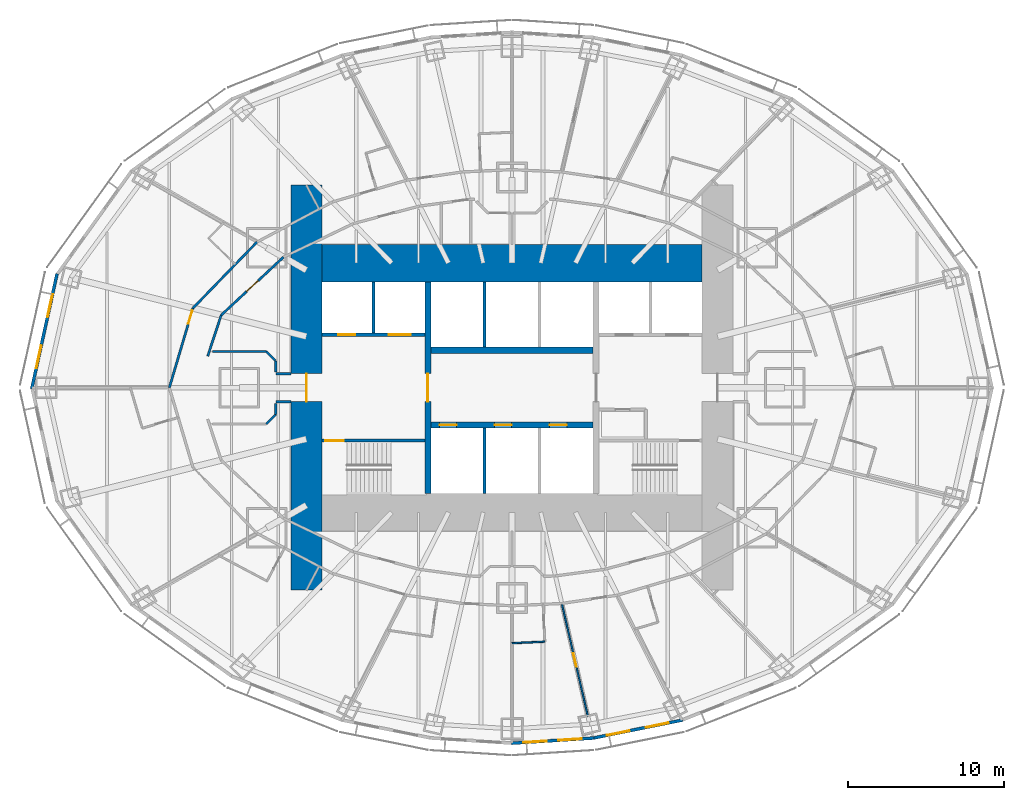
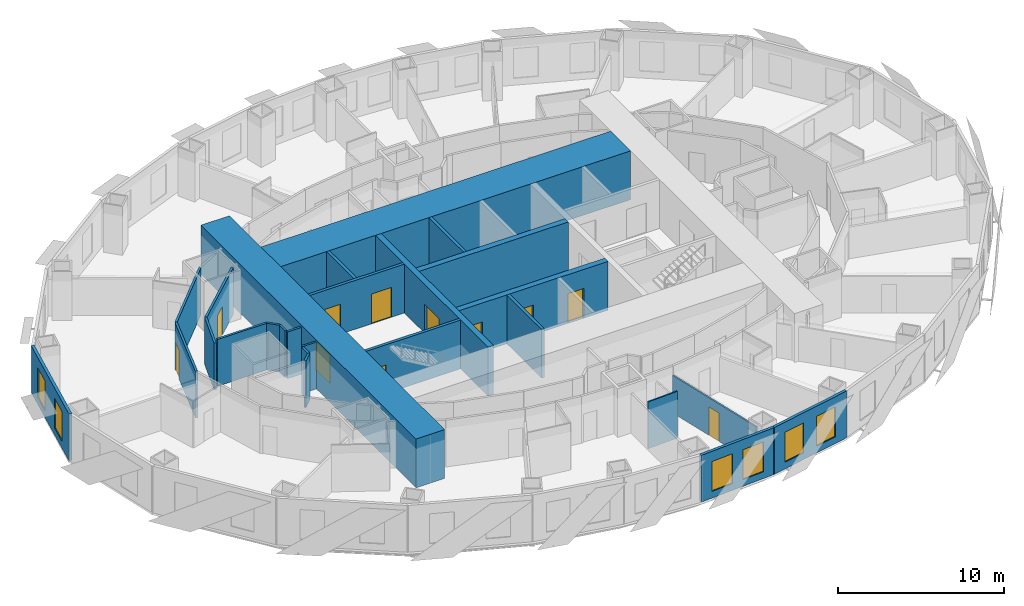
# One storey, part 6 of 15: 26 walls, 11 doors, 6 windows, 17 openings.
"""IFC4 building model written with IfcOpenShell, lengths in metres."""

import ifcopenshell
import ifcopenshell.guid

model = None  # the IFC model being written
_history = None  # IfcOwnerHistory: only IFC2X3 demands one
_inside = {}  # id of a spatial element -> (the spatial element, [elements in it])
_under = {}  # id of a project, library or spatial element -> (it, [spatial elements below it])
_declared = {}  # id of a project -> (the project, [libraries it declares])
_typed = {}  # id of a type object -> (the type object, [elements of that type])
_made_of = {}  # id of a material, layer set ... -> (it, [elements and type objects made of it])


def new_model(schema):
    """Start an empty IFC model of exactly this schema.

    Asked for "IFC4X3", IfcOpenShell would pick the latest addendum, in which some entities
    have other attributes; the version numbers below select the first issue.
    IFC2X3 requires an IfcOwnerHistory on every rooted entity: one is made here for all.
    """
    global model, _history
    if schema == "IFC4X3":
        model = ifcopenshell.file(schema_version=(4, 3, 0, 0))
    else:
        model = ifcopenshell.file(schema=schema)
    _inside.clear()
    _under.clear()
    _declared.clear()
    _typed.clear()
    _made_of.clear()
    _history = None
    if model.schema == "IFC2X3":
        org = make("IfcOrganization", Name="unknown")
        user = make(
            "IfcPersonAndOrganization",
            ThePerson=make("IfcPerson", FamilyName="unknown"),
            TheOrganization=org,
        )
        app = make(
            "IfcApplication",
            ApplicationDeveloper=org,
            Version="unknown",
            ApplicationFullName="unknown",
            ApplicationIdentifier="unknown",
        )
        _history = make(
            "IfcOwnerHistory",
            OwningUser=user,
            OwningApplication=app,
            ChangeAction="ADDED",
            CreationDate=0,
        )
    return model


def make(cls, **values):
    """One entity of the class cls with the attributes given. An attribute that is None is left unset."""
    return model.create_entity(
        cls, **{name: value for name, value in values.items() if value is not None}
    )


def rooted(cls, **values):
    """An entity with a GlobalId (a new one), such as an element, a storey or a relation."""
    return make(cls, GlobalId=ifcopenshell.guid.new(), OwnerHistory=_history, **values)


def si_unit(unit_type, name, prefix=None):
    """IfcSIUnit, for example si_unit("LENGTHUNIT", "METRE", prefix="MILLI")."""
    return make("IfcSIUnit", UnitType=unit_type, Prefix=prefix, Name=name)


def assignment(units):
    """IfcUnitAssignment: the units of a project."""
    return None if units is None else make("IfcUnitAssignment", Units=units)


def point(xyz):
    """IfcCartesianPoint."""
    return None if xyz is None else make("IfcCartesianPoint", Coordinates=xyz)


def direction(xyz):
    """IfcDirection."""
    return None if xyz is None else make("IfcDirection", DirectionRatios=xyz)


def frame(location, z_axis=None, x_axis=None):
    """IfcAxis2Placement3D, a coordinate frame: its origin and axes. An axis left out is left unset."""
    return make(
        "IfcAxis2Placement3D",
        Location=point(location),
        Axis=direction(z_axis),
        RefDirection=direction(x_axis),
    )


def frame_2d(location, x_axis=None):
    """IfcAxis2Placement2D, a coordinate frame in the plane: its origin and x axis."""
    return make(
        "IfcAxis2Placement2D", Location=point(location), RefDirection=direction(x_axis)
    )


def origin():
    """The frame at (0, 0, 0) with its axes left unset."""
    return frame((0.0, 0.0, 0.0))


def place(relative_to, where):
    """IfcLocalPlacement: puts the frame where relative to a parent placement (None: the world)."""
    return make(
        "IfcLocalPlacement", PlacementRelTo=relative_to, RelativePlacement=where
    )


def context(
    kind, dimensions, precision=None, world=None, true_north=None, identifier=None
):
    """IfcGeometricRepresentationContext, for example the 3D "Model" context."""
    return make(
        "IfcGeometricRepresentationContext",
        ContextIdentifier=identifier,
        ContextType=kind,
        CoordinateSpaceDimension=dimensions,
        Precision=precision,
        WorldCoordinateSystem=world,
        TrueNorth=true_north,
    )


def subcontext(parent, identifier, kind, view, scale=None):
    """IfcGeometricRepresentationSubContext, for example "Body" below "Model"."""
    return make(
        "IfcGeometricRepresentationSubContext",
        ContextIdentifier=identifier,
        ContextType=kind,
        ParentContext=parent,
        TargetScale=scale,
        TargetView=view,
    )


def project(units=None, contexts=None):
    """IfcProject with its units and contexts."""
    return rooted(
        "IfcProject",
        Name="project",
        RepresentationContexts=contexts,
        UnitsInContext=assignment(units),
    )


def spatial(cls, under=None, at=None, **own):
    """A site, building, storey or space (cls), placed at a placement, below another one or the project."""
    s = rooted(cls, ObjectPlacement=at, **own)
    if under is not None:
        _under.setdefault(under.id(), (under, []))[1].append(s)
    return s


def profile(cls, at=None, kind="AREA", **sizes):
    """A parametric profile (cls). Its sizes go by their IFC names, for example OverallWidth=200.0."""
    return make(cls, ProfileType=kind, Position=at, **sizes)


def rectangle(**sizes):
    """IfcRectangleProfileDef."""
    return profile("IfcRectangleProfileDef", **sizes)


def extrude(swept, where, along, depth):
    """IfcExtrudedAreaSolid: the profile swept, set in the frame where, extruded along a direction by depth."""
    return make(
        "IfcExtrudedAreaSolid",
        SweptArea=swept,
        Position=where,
        ExtrudedDirection=direction(along),
        Depth=depth,
    )


def shape(context_of_items, identifier, shape_type, items):
    """IfcShapeRepresentation: the items that make up one representation, for example the "Body"."""
    return make(
        "IfcShapeRepresentation",
        ContextOfItems=context_of_items,
        RepresentationIdentifier=identifier,
        RepresentationType=shape_type,
        Items=items,
    )


def material(Name=None, Category=None):
    """IfcMaterial."""
    return make("IfcMaterial", Name=Name, Category=Category)


def layer(
    of_material, thickness, ventilated=None, Name=None, Category=None, Priority=None
):
    """IfcMaterialLayer: one layer of a wall or slab, of a material (None: an air gap)."""
    return make(
        "IfcMaterialLayer",
        Material=of_material,
        LayerThickness=thickness,
        IsVentilated=ventilated,
        Name=Name,
        Category=Category,
        Priority=Priority,
    )


def layer_set(layers, Name=None):
    """IfcMaterialLayerSet."""
    return make("IfcMaterialLayerSet", MaterialLayers=layers, LayerSetName=Name)


def made_of(thing, what):
    """Note that an element or type object is made of a material, layer set ...; save() writes the relation."""
    if what is not None:
        _made_of.setdefault(what.id(), (what, []))[1].append(thing)
    return thing


def type_object(cls, material=None, **own):
    """A type object (cls), such as IfcWallType, which elements share."""
    return made_of(rooted(cls, **own), material)


def element(
    cls,
    number,
    at=None,
    inside=None,
    cuts=None,
    type_object=None,
    material=None,
    context=None,
    identifier="Body",
    shape_type=None,
    held_by="IfcProductDefinitionShape",
    body=None,
    shapes=None,
    **own,
):
    """One element of the class cls, such as IfcWall. Its Tag is "e" and its number.

    at: its placement. inside: the storey or other place that contains it. cuts: it is an
    opening in that element (IfcRelVoidsElement). A single representation is given by context,
    identifier, shape_type and body (its items); several are given by shapes. held_by: the class
    of the entity that holds the representations. save() writes the other relations.
    """
    e = rooted(cls, Tag="e%d" % number, ObjectPlacement=at, **own)
    if body is not None:
        shapes = [shape(context, identifier, shape_type, body)]
    if shapes is not None:
        e.Representation = make(held_by, Representations=shapes)
    if inside is not None:
        _inside.setdefault(inside.id(), (inside, []))[1].append(e)
    if cuts is not None:
        rooted(
            "IfcRelVoidsElement", RelatingBuildingElement=cuts, RelatedOpeningElement=e
        )
    if type_object is not None:
        _typed.setdefault(type_object.id(), (type_object, []))[1].append(e)
    return made_of(e, material)


def fill(opening, filler):
    """IfcRelFillsElement: the door or window that sits in an opening."""
    return rooted(
        "IfcRelFillsElement",
        RelatingOpeningElement=opening,
        RelatedBuildingElement=filler,
    )


def aggregate(whole, parts):
    """IfcRelAggregates: a whole, such as a stair, and the parts it consists of."""
    return rooted("IfcRelAggregates", RelatingObject=whole, RelatedObjects=parts)


def save(model, path):
    """Write the relations noted so far, then the file.

    IfcRelAggregates (storeys below a building ...), IfcRelContainedInSpatialStructure (elements
    in a storey), IfcRelDefinesByType, IfcRelAssociatesMaterial and IfcRelDeclares: one each for
    every whole, place, type object, material and project.
    """
    for whole, parts in _under.values():
        aggregate(whole, parts)
    for where, things in _inside.values():
        rooted(
            "IfcRelContainedInSpatialStructure",
            RelatedElements=things,
            RelatingStructure=where,
        )
    for kind, things in _typed.values():
        rooted("IfcRelDefinesByType", RelatedObjects=things, RelatingType=kind)
    for what, things in _made_of.values():
        rooted("IfcRelAssociatesMaterial", RelatedObjects=things, RelatingMaterial=what)
    for by, libraries in _declared.values():
        rooted("IfcRelDeclares", RelatingContext=by, RelatedDefinitions=libraries)
    model.write(path)


model = new_model("IFC4")

# Units and contexts
model_context = context("Model", 3, precision=1e-05, world=origin(), true_north=direction((0.0, 1.0)))
body_context = subcontext(model_context, "Body", "Model", "MODEL_VIEW")
ifc_project = project(units=[si_unit("LENGTHUNIT", "METRE"), si_unit("AREAUNIT", "SQUARE_METRE"), si_unit("VOLUMEUNIT", "CUBIC_METRE"), si_unit("PLANEANGLEUNIT", "RADIAN"), si_unit("MASSUNIT", "GRAM", prefix="KILO")], contexts=[model_context])

# Site, building, storey
site_placement = place(None, origin())
site = spatial("IfcSite", under=ifc_project, at=site_placement, CompositionType="ELEMENT")
building_placement = place(site_placement, origin())
building = spatial("IfcBuilding", under=site, at=building_placement, Name="Lantaw Convention Tower", CompositionType="ELEMENT")
storey_placement = place(building_placement, frame((0.0, 0.0, 80.199951171875)))
storey = spatial("IfcBuildingStorey", under=building, at=storey_placement, Name="L18", CompositionType="ELEMENT", Elevation=80.199951171875)

# Wall
ifc_material_1 = material(Name="Moisture resistant gypsum board on steel studs", Category="steel")
ifc_layer_1 = layer(ifc_material_1, 0.10009765625)
ifc_layer_set_1 = layer_set([ifc_layer_1], Name="Bathroom wall 100")
wall_type_1 = type_object("IfcWallType", Name="Bathroom wall 100", PredefinedType="PARTITIONING", material=ifc_layer_set_1)
wall_1_placement = place(storey_placement, frame((2.109375, -16.304443359375, 0.0), z_axis=(0.0, 0.0, 1.0), x_axis=(-0.998919337223, -0.04647749694, 0.0)))
element("IfcWall", 1, at=wall_1_placement, inside=storey, type_object=wall_type_1, Name="Bathroom wall 100", PredefinedType="PARTITIONING", context=body_context, shape_type="SweptSolid", body=[
    extrude(rectangle(XDim=2.111572265625, YDim=0.10009765625, at=frame_2d((1.0556640625, 0.0))), origin(), (0.0, 0.0, 1.0), 3.449951171875),
])

# Wall, opening, door
ifc_material_2 = material(Name="Concrete C60/75", Category="concrete")
ifc_layer_2 = layer(ifc_material_2, 0.199951171875)
ifc_layer_set_2 = layer_set([ifc_layer_2], Name="Core wall 200")
wall_type_2 = type_object("IfcWallType", Name="Core wall 200", PredefinedType="SHEAR", material=ifc_layer_set_2)
wall_2_placement = place(storey_placement, frame((-5.60009765625, -3.39990234375, 0.0), z_axis=(0.0, 0.0, 1.0), x_axis=(-1.0, 0.0, 0.0)))
wall_2 = element("IfcWall", 2, at=wall_2_placement, inside=storey, type_object=wall_type_2, Name="Core wall WS", PredefinedType="SHEAR", context=body_context, shape_type="SweptSolid", body=[
    extrude(rectangle(XDim=6.599853515625, YDim=0.199951171875, at=frame_2d((3.2998046875, 0.0))), origin(), (0.0, 0.0, 1.0), 3.60009765625),
])
opening_1_placement = place(wall_2_placement, frame((5.199951171875, 0.0, 0.0)))
opening_1 = element("IfcOpeningElement", 3, at=opening_1_placement, cuts=wall_2, Name="Opening L18.05", PredefinedType="OPENING", context=body_context, shape_type="SweptSolid", body=[
    extrude(rectangle(XDim=1.199951171875, YDim=2.10009765625, at=frame_2d((0.60009765625, 1.050048828125))), frame((0.0, 0.10986328125, 0.0), z_axis=(0.0, -1.0, 0.0), x_axis=(1.0, 0.0, 0.0)), (0.0, 0.0, 1.0), 0.219970703125),
])
ifc_material_3 = material(Name="Steel, fire rated", Category="steel")
door_type_1 = type_object("IfcDoorType", Name="Stair door FD90", OperationType="SINGLE_SWING_RIGHT", PredefinedType="DOOR", material=ifc_material_3)
door_1_placement = place(opening_1_placement, origin())
door_1 = element("IfcDoor", 4, at=door_1_placement, inside=storey, type_object=door_type_1, Name="Exit stair door", OperationType="SINGLE_SWING_RIGHT", OverallHeight=2.10009765625, OverallWidth=1.199951171875, PredefinedType="DOOR", context=body_context, shape_type="SweptSolid", body=[
    extrude(rectangle(XDim=1.199951171875, YDim=2.10009765625, at=frame_2d((0.60009765625, 1.050048828125))), frame((0.0, 0.02490234375, 0.0), z_axis=(0.0, -1.0, 0.0), x_axis=(1.0, 0.0, 0.0)), (0.0, 0.0, 1.0), 0.050048828125),
])
fill(opening_1, door_1)

ifc_layer_3 = layer(ifc_material_2, 2.0)
ifc_layer_set_3 = layer_set([ifc_layer_3], Name="Core wall 2000")
wall_type_3 = type_object("IfcWallType", Name="Core wall 2000", PredefinedType="SHEAR", material=ifc_layer_set_3)
wall_3_placement = place(storey_placement, frame((-13.199951171875, 13.0, 0.0), z_axis=(0.0, 0.0, 1.0), x_axis=(0.0, -1.0, 0.0)))
wall_3 = element("IfcWall", 5, at=wall_3_placement, inside=storey, type_object=wall_type_3, Name="Core wall W", PredefinedType="SHEAR", context=body_context, shape_type="SweptSolid", body=[
    extrude(rectangle(XDim=26.0, YDim=2.0, at=frame_2d((13.0, 0.0))), origin(), (0.0, 0.0, 1.0), 3.60009765625),
])
opening_2_placement = place(wall_3_placement, frame((12.10009765625, 0.0, 0.0)))
opening_2 = element("IfcOpeningElement", 6, at=opening_2_placement, cuts=wall_3, Name="Opening L18.07", PredefinedType="OPENING", context=body_context, shape_type="SweptSolid", body=[
    extrude(rectangle(XDim=1.800048828125, YDim=2.10009765625, at=frame_2d((0.89990234375, 1.050048828125))), frame((0.0, 1.010009765625, 0.0), z_axis=(0.0, -1.0, 0.0), x_axis=(1.0, 0.0, 0.0)), (0.0, 0.0, 1.0), 2.02001953125),
])
door_type_2 = type_object("IfcDoorType", Name="Lobby double door FD90", OperationType="DOUBLE_DOOR_DOUBLE_SWING", PredefinedType="DOOR", material=ifc_material_3)
door_2_placement = place(opening_2_placement, origin())
door_2 = element("IfcDoor", 7, at=door_2_placement, inside=storey, type_object=door_type_2, Name="Firefighting lobby door", OperationType="DOUBLE_DOOR_DOUBLE_SWING", OverallHeight=2.10009765625, OverallWidth=1.800048828125, PredefinedType="DOOR", context=body_context, shape_type="SweptSolid", body=[
    extrude(rectangle(XDim=1.800048828125, YDim=2.10009765625, at=frame_2d((0.89990234375, 1.050048828125))), frame((0.0, 0.02490234375, 0.0), z_axis=(0.0, -1.0, 0.0), x_axis=(1.0, 0.0, 0.0)), (0.0, 0.0, 1.0), 0.050048828125),
])
fill(opening_2, door_2)

# Wall
ifc_layer_4 = layer(ifc_material_2, 2.39990234375)
ifc_layer_set_4 = layer_set([ifc_layer_4], Name="Core wall 2400")
wall_type_4 = type_object("IfcWallType", Name="Core wall 2400", PredefinedType="SHEAR", material=ifc_layer_set_4)
wall_4_placement = place(storey_placement, frame((12.199951171875, 8.0, 0.0), z_axis=(0.0, 0.0, 1.0), x_axis=(-1.0, 0.0, 0.0)))
element("IfcWall", 8, at=wall_4_placement, inside=storey, type_object=wall_type_4, Name="Core wall N", PredefinedType="SHEAR", context=body_context, shape_type="SweptSolid", body=[
    extrude(rectangle(XDim=24.39990234375, YDim=2.39990234375, at=frame_2d((12.199951171875, 0.0))), origin(), (0.0, 0.0, 1.0), 3.60009765625),
])

# Wall, opening, door
ifc_layer_5 = layer(ifc_material_2, 0.39990234375)
ifc_layer_set_5 = layer_set([ifc_layer_5], Name="Core wall 400")
wall_type_5 = type_object("IfcWallType", Name="Core wall 400", PredefinedType="SHEAR", material=ifc_layer_set_5)
wall_5_placement = place(storey_placement, frame((-5.39990234375, 6.800048828125, 0.0), z_axis=(0.0, 0.0, 1.0), x_axis=(0.0, -1.0, 0.0)))
wall_5 = element("IfcWall", 9, at=wall_5_placement, inside=storey, type_object=wall_type_5, Name="Core wall XW", PredefinedType="SHEAR", context=body_context, shape_type="SweptSolid", body=[
    extrude(rectangle(XDim=13.60009765625, YDim=0.39990234375, at=frame_2d((6.800048828125, 0.0))), origin(), (0.0, 0.0, 1.0), 3.60009765625),
])
opening_3_placement = place(wall_5_placement, frame((5.89990234375, 0.0, 0.0)))
opening_3 = element("IfcOpeningElement", 10, at=opening_3_placement, cuts=wall_5, Name="Opening L18.03", PredefinedType="OPENING", context=body_context, shape_type="SweptSolid", body=[
    extrude(rectangle(XDim=1.800048828125, YDim=2.10009765625, at=frame_2d((0.89990234375, 1.050048828125))), frame((0.0, 0.2099609375, 0.0), z_axis=(0.0, -1.0, 0.0), x_axis=(1.0, 0.0, 0.0)), (0.0, 0.0, 1.0), 0.419921875),
])
door_3_placement = place(opening_3_placement, origin())
door_3 = element("IfcDoor", 11, at=door_3_placement, inside=storey, type_object=door_type_2, Name="Lift lobby door", OperationType="DOUBLE_DOOR_DOUBLE_SWING", OverallHeight=2.10009765625, OverallWidth=1.800048828125, PredefinedType="DOOR", context=body_context, shape_type="SweptSolid", body=[
    extrude(rectangle(XDim=1.800048828125, YDim=2.10009765625, at=frame_2d((0.89990234375, 1.050048828125))), frame((0.0, 0.02490234375, 0.0), z_axis=(0.0, -1.0, 0.0), x_axis=(1.0, 0.0, 0.0)), (0.0, 0.0, 1.0), 0.050048828125),
])
fill(opening_3, door_3)

# Wall, openings, doors
wall_6_placement = place(storey_placement, frame((-5.199951171875, -2.39990234375, 0.0), z_axis=(0.0, 0.0, 1.0), x_axis=(1.0, 0.0, 0.0)))
wall_6 = element("IfcWall", 12, at=wall_6_placement, inside=storey, type_object=wall_type_5, Name="Core wall BS", PredefinedType="SHEAR", context=body_context, shape_type="SweptSolid", body=[
    extrude(rectangle(XDim=10.39990234375, YDim=0.39990234375, at=frame_2d((5.199951171875, 0.0))), origin(), (0.0, 0.0, 1.0), 3.60009765625),
])
opening_4_placement = place(wall_6_placement, frame((0.550048828125, 0.0, 0.0)))
opening_4 = element("IfcOpeningElement", 13, at=opening_4_placement, cuts=wall_6, Name="Opening L18.08", PredefinedType="OPENING", context=body_context, shape_type="SweptSolid", body=[
    extrude(rectangle(XDim=1.10009765625, YDim=2.199951171875, at=frame_2d((0.550048828125, 1.10009765625))), frame((0.0, 0.2099609375, 0.0), z_axis=(0.0, -1.0, 0.0), x_axis=(1.0, 0.0, 0.0)), (0.0, 0.0, 1.0), 0.419921875),
])
opening_5_placement = place(wall_6_placement, frame((4.083251953125, 0.0, 0.0)))
opening_5 = element("IfcOpeningElement", 14, at=opening_5_placement, cuts=wall_6, Name="Opening L18.09", PredefinedType="OPENING", context=body_context, shape_type="SweptSolid", body=[
    extrude(rectangle(XDim=1.10009765625, YDim=2.199951171875, at=frame_2d((0.550048828125, 1.10009765625))), frame((0.0, 0.2099609375, 0.0), z_axis=(0.0, -1.0, 0.0), x_axis=(1.0, 0.0, 0.0)), (0.0, 0.0, 1.0), 0.419921875),
])
opening_6_placement = place(wall_6_placement, frame((7.61669921875, 0.0, 0.0)))
opening_6 = element("IfcOpeningElement", 15, at=opening_6_placement, cuts=wall_6, Name="Opening L18.10", PredefinedType="OPENING", context=body_context, shape_type="SweptSolid", body=[
    extrude(rectangle(XDim=1.10009765625, YDim=2.199951171875, at=frame_2d((0.550048828125, 1.10009765625))), frame((0.0, 0.2099609375, 0.0), z_axis=(0.0, -1.0, 0.0), x_axis=(1.0, 0.0, 0.0)), (0.0, 0.0, 1.0), 0.419921875),
])
ifc_material_4 = material(Name="Stainless steel", Category="steel")
door_type_3 = type_object("IfcDoorType", Name="Lift landing door 1100", OperationType="DOUBLE_DOOR_SLIDING", PredefinedType="DOOR", material=ifc_material_4)
door_4_placement = place(opening_4_placement, origin())
door_4 = element("IfcDoor", 16, at=door_4_placement, inside=storey, type_object=door_type_3, Name="Lift landing door H1", OperationType="DOUBLE_DOOR_SLIDING", OverallHeight=2.199951171875, OverallWidth=1.10009765625, PredefinedType="DOOR", context=body_context, shape_type="SweptSolid", body=[
    extrude(rectangle(XDim=1.10009765625, YDim=2.199951171875, at=frame_2d((0.550048828125, 1.10009765625))), frame((0.0, 0.02490234375, 0.0), z_axis=(0.0, -1.0, 0.0), x_axis=(1.0, 0.0, 0.0)), (0.0, 0.0, 1.0), 0.050048828125),
])
fill(opening_4, door_4)
door_5_placement = place(opening_5_placement, origin())
door_5 = element("IfcDoor", 17, at=door_5_placement, inside=storey, type_object=door_type_3, Name="Lift landing door H2", OperationType="DOUBLE_DOOR_SLIDING", OverallHeight=2.199951171875, OverallWidth=1.10009765625, PredefinedType="DOOR", context=body_context, shape_type="SweptSolid", body=[
    extrude(rectangle(XDim=1.10009765625, YDim=2.199951171875, at=frame_2d((0.550048828125, 1.10009765625))), frame((0.0, 0.02490234375, 0.0), z_axis=(0.0, -1.0, 0.0), x_axis=(1.0, 0.0, 0.0)), (0.0, 0.0, 1.0), 0.050048828125),
])
fill(opening_5, door_5)
door_6_placement = place(opening_6_placement, origin())
door_6 = element("IfcDoor", 18, at=door_6_placement, inside=storey, type_object=door_type_3, Name="Lift landing door H3", OperationType="DOUBLE_DOOR_SLIDING", OverallHeight=2.199951171875, OverallWidth=1.10009765625, PredefinedType="DOOR", context=body_context, shape_type="SweptSolid", body=[
    extrude(rectangle(XDim=1.10009765625, YDim=2.199951171875, at=frame_2d((0.550048828125, 1.10009765625))), frame((0.0, 0.02490234375, 0.0), z_axis=(0.0, -1.0, 0.0), x_axis=(1.0, 0.0, 0.0)), (0.0, 0.0, 1.0), 0.050048828125),
])
fill(opening_6, door_6)

# Walls
wall_7_placement = place(storey_placement, frame((5.199951171875, 2.39990234375, 0.0), z_axis=(0.0, 0.0, 1.0), x_axis=(-1.0, 0.0, 0.0)))
element("IfcWall", 19, at=wall_7_placement, inside=storey, type_object=wall_type_5, Name="Core wall BN", PredefinedType="SHEAR", context=body_context, shape_type="SweptSolid", body=[
    extrude(rectangle(XDim=10.39990234375, YDim=0.39990234375, at=frame_2d((5.199951171875, 0.0))), origin(), (0.0, 0.0, 1.0), 3.60009765625),
])
ifc_material_5 = material(Name="Gypsum board on steel studs, fire rated", Category="steel")
ifc_layer_6 = layer(ifc_material_5, 0.14990234375)
ifc_layer_set_6 = layer_set([ifc_layer_6], Name="Corridor wall 150 EI 60")
wall_type_6 = type_object("IfcWallType", Name="Corridor wall 150 EI 60", PredefinedType="PARTITIONING", material=ifc_layer_set_6)
wall_8_placement = place(storey_placement, frame((-16.369140625, 9.353759765625, 0.0), z_axis=(0.0, 0.0, 1.0), x_axis=(-0.695871090686, -0.71816671125, 0.0)))
element("IfcWall", 20, at=wall_8_placement, inside=storey, type_object=wall_type_6, Name="Corridor wall 150", PredefinedType="PARTITIONING", context=body_context, shape_type="SweptSolid", body=[
    extrude(rectangle(XDim=5.9130859375, YDim=0.14990234375, at=frame_2d((2.95654296875, 0.0))), origin(), (0.0, 0.0, 1.0), 3.449951171875),
])

# Wall, opening, door
wall_9_placement = place(storey_placement, frame((-20.48388671875, 5.107177734375, 0.0), z_axis=(0.0, 0.0, 1.0), x_axis=(-0.284584469409, -0.95865096869, 0.0)))
wall_9 = element("IfcWall", 21, at=wall_9_placement, inside=storey, type_object=wall_type_6, Name="Corridor wall 150", PredefinedType="PARTITIONING", context=body_context, shape_type="SweptSolid", body=[
    extrude(rectangle(XDim=5.327392578125, YDim=0.14990234375, at=frame_2d((2.66357421875, 0.0))), origin(), (0.0, 0.0, 1.0), 3.449951171875),
])
opening_7_placement = place(wall_9_placement, frame((0.14990234375, 0.0, 0.0)))
opening_7 = element("IfcOpeningElement", 22, at=opening_7_placement, cuts=wall_9, Name="Opening L18.38", PredefinedType="OPENING", context=body_context, shape_type="SweptSolid", body=[
    extrude(rectangle(XDim=0.89990234375, YDim=2.10009765625, at=frame_2d((0.449951171875, 1.050048828125))), frame((0.0, 0.0849609375, 0.0), z_axis=(0.0, -1.0, 0.0), x_axis=(1.0, 0.0, 0.0)), (0.0, 0.0, 1.0), 0.169921875),
])
door_type_4 = type_object("IfcDoorType", Name="Guest room entrance door FD30S", OperationType="SINGLE_SWING_LEFT", PredefinedType="DOOR", material=ifc_material_3)
door_7_placement = place(opening_7_placement, origin())
door_7 = element("IfcDoor", 23, at=door_7_placement, inside=storey, type_object=door_type_4, Name="Junior suite entrance door", OperationType="SINGLE_SWING_LEFT", OverallHeight=2.10009765625, OverallWidth=0.89990234375, PredefinedType="DOOR", context=body_context, shape_type="SweptSolid", body=[
    extrude(rectangle(XDim=0.89990234375, YDim=2.10009765625, at=frame_2d((0.449951171875, 1.050048828125))), frame((0.0, 0.02490234375, 0.0), z_axis=(0.0, -1.0, 0.0), x_axis=(1.0, 0.0, 0.0)), (0.0, 0.0, 1.0), 0.050048828125),
])
fill(opening_7, door_7)

wall_10_placement = place(storey_placement, frame((-14.67333984375, 8.384765625, 0.0), z_axis=(0.0, 0.0, 1.0), x_axis=(-0.731260145007, -0.682098673452, 0.0)))
wall_10 = element("IfcWall", 24, at=wall_10_placement, inside=storey, type_object=wall_type_6, Name="Corridor wall 150", PredefinedType="PARTITIONING", context=body_context, shape_type="SweptSolid", body=[
    extrude(rectangle(XDim=5.4677734375, YDim=0.14990234375, at=frame_2d((2.73388671875, 0.0))), origin(), (0.0, 0.0, 1.0), 3.449951171875),
])
opening_8_placement = place(wall_10_placement, frame((2.23388671875, 0.0, 0.0)))
opening_8 = element("IfcOpeningElement", 25, at=opening_8_placement, cuts=wall_10, Name="Opening L18.17", PredefinedType="OPENING", context=body_context, shape_type="SweptSolid", body=[
    extrude(rectangle(XDim=1.0, YDim=2.10009765625, at=frame_2d((0.5, 1.050048828125))), frame((0.0, 0.0849609375, 0.0), z_axis=(0.0, -1.0, 0.0), x_axis=(1.0, 0.0, 0.0)), (0.0, 0.0, 1.0), 0.169921875),
])
door_type_5 = type_object("IfcDoorType", Name="Service door 1000 FD30", OperationType="SINGLE_SWING_LEFT", PredefinedType="DOOR", material=ifc_material_3)
door_8_placement = place(opening_8_placement, origin())
door_8 = element("IfcDoor", 26, at=door_8_placement, inside=storey, type_object=door_type_5, Name="Housekeeping room door", OperationType="SINGLE_SWING_LEFT", OverallHeight=2.10009765625, OverallWidth=1.0, PredefinedType="DOOR", context=body_context, shape_type="SweptSolid", body=[
    extrude(rectangle(XDim=1.0, YDim=2.10009765625, at=frame_2d((0.5, 1.050048828125))), frame((0.0, 0.02490234375, 0.0), z_axis=(0.0, -1.0, 0.0), x_axis=(1.0, 0.0, 0.0)), (0.0, 0.0, 1.0), 0.050048828125),
])
fill(opening_8, door_8)

# Walls
wall_11_placement = place(storey_placement, frame((-18.671630859375, 4.6552734375, 0.0), z_axis=(0.0, 0.0, 1.0), x_axis=(-0.311929965981, -0.950105097515, 0.0)))
element("IfcWall", 27, at=wall_11_placement, inside=storey, type_object=wall_type_6, Name="Corridor wall 150", PredefinedType="PARTITIONING", context=body_context, shape_type="SweptSolid", body=[
    extrude(rectangle(XDim=2.762939453125, YDim=0.14990234375, at=frame_2d((1.38134765625, 0.0))), origin(), (0.0, 0.0, 1.0), 3.449951171875),
])
for number, where, z_axis, x_axis, name in (
    (28, (-14.199951171875, -0.89990234375, 0.0), (0.0, 0.0, 1.0), (-1.0, 0.0, 0.0), "Corridor wall 150"),
    (29, (-14.199951171875, 0.89990234375, 0.0), (0.0, 0.0, 1.0), (-1.0, 0.0, 0.0), "Corridor wall 150"),
):
    element("IfcWall", number, at=place(storey_placement, frame(where, z_axis=z_axis, x_axis=x_axis)), inside=storey, type_object=wall_type_6, Name=name, PredefinedType="PARTITIONING", context=body_context, shape_type="SweptSolid", body=[
        extrude(rectangle(XDim=0.965087890625, YDim=0.14990234375, at=frame_2d((0.482421875, 0.0))), origin(), (0.0, 0.0, 1.0), 3.449951171875),
    ])
wall_12_placement = place(storey_placement, frame((-19.224609375, 2.324951171875, 0.0), z_axis=(0.0, 0.0, 1.0), x_axis=(1.0, 0.0, 0.0)))
element("IfcWall", 30, at=wall_12_placement, inside=storey, type_object=wall_type_6, Name="Corridor wall 150", PredefinedType="PARTITIONING", context=body_context, shape_type="SweptSolid", body=[
    extrude(rectangle(XDim=3.44921875, YDim=0.14990234375, at=frame_2d((1.724609375, 0.0))), origin(), (0.0, 0.0, 1.0), 3.449951171875),
])
wall_13_placement = place(storey_placement, frame((-15.775390625, 2.324951171875, 0.0), z_axis=(0.0, 0.0, 1.0), x_axis=(0.707106781187, -0.707106781187, 0.0)))
element("IfcWall", 31, at=wall_13_placement, inside=storey, type_object=wall_type_6, Name="Corridor wall 150", PredefinedType="PARTITIONING", context=body_context, shape_type="SweptSolid", body=[
    extrude(rectangle(XDim=0.84912109375, YDim=0.14990234375, at=frame_2d((0.424560546875, 0.0))), origin(), (0.0, 0.0, 1.0), 3.449951171875),
])
for number, where, z_axis, x_axis, name in (
    (32, (-15.175048828125, 1.724609375, 0.0), (0.0, 0.0, 1.0), (0.0, -1.0, 0.0), "Corridor wall 150"),
    (33, (-15.175048828125, -1.003173828125, 0.0), (0.0, 0.0, 1.0), (0.0, -1.0, 0.0), "Corridor wall 150"),
):
    element("IfcWall", number, at=place(storey_placement, frame(where, z_axis=z_axis, x_axis=x_axis)), inside=storey, type_object=wall_type_6, Name=name, PredefinedType="PARTITIONING", context=body_context, shape_type="SweptSolid", body=[
        extrude(rectangle(XDim=0.721435546875, YDim=0.14990234375, at=frame_2d((0.36083984375, 0.0))), origin(), (0.0, 0.0, 1.0), 3.449951171875),
    ])
wall_14_placement = place(storey_placement, frame((-15.175048828125, -1.724609375, 0.0), z_axis=(0.0, 0.0, 1.0), x_axis=(-0.707106781187, -0.707106781187, 0.0)))
element("IfcWall", 34, at=wall_14_placement, inside=storey, type_object=wall_type_6, Name="Corridor wall 150", PredefinedType="PARTITIONING", context=body_context, shape_type="SweptSolid", body=[
    extrude(rectangle(XDim=0.84912109375, YDim=0.14990234375, at=frame_2d((0.424560546875, 0.0))), origin(), (0.0, 0.0, 1.0), 3.449951171875),
])

# Wall, openings, windows
ifc_material_6 = material(Name="Insulated aluminium panel on steel frame", Category="steel")
ifc_layer_7 = layer(ifc_material_6, 0.199951171875)
ifc_layer_set_7 = layer_set([ifc_layer_7], Name="External wall 200")
wall_type_7 = type_object("IfcWallType", Name="External wall 200", PredefinedType="SOLIDWALL", material=ifc_layer_set_7)
wall_15_placement = place(storey_placement, frame((-29.207763671875, 7.318115234375, 0.0), z_axis=(0.0, 0.0, 1.0), x_axis=(-0.215238065514, -0.976561608478, 0.0)))
wall_15 = element("IfcWall", 35, at=wall_15_placement, inside=storey, type_object=wall_type_7, Name="Facade panel wall", PredefinedType="SOLIDWALL", context=body_context, shape_type="SweptSolid", body=[
    extrude(rectangle(XDim=7.562255859375, YDim=0.199951171875, at=frame_2d((3.78125, 0.0))), origin(), (0.0, 0.0, 1.0), 3.449951171875),
])
opening_9_placement = place(wall_15_placement, frame((1.340576171875, 0.0, 0.5)))
opening_9 = element("IfcOpeningElement", 36, at=opening_9_placement, cuts=wall_15, Name="Opening W2", PredefinedType="OPENING", context=body_context, shape_type="SweptSolid", body=[
    extrude(rectangle(XDim=1.5, YDim=2.199951171875, at=frame_2d((0.75, 1.10009765625))), frame((0.0, 0.10986328125, 0.0), z_axis=(0.0, -1.0, 0.0), x_axis=(1.0, 0.0, 0.0)), (0.0, 0.0, 1.0), 0.219970703125),
])
opening_10_placement = place(wall_15_placement, frame((4.7216796875, 0.0, 0.5)))
opening_10 = element("IfcOpeningElement", 37, at=opening_10_placement, cuts=wall_15, Name="Opening W2", PredefinedType="OPENING", context=body_context, shape_type="SweptSolid", body=[
    extrude(rectangle(XDim=1.5, YDim=2.199951171875, at=frame_2d((0.75, 1.10009765625))), frame((0.0, 0.10986328125, 0.0), z_axis=(0.0, -1.0, 0.0), x_axis=(1.0, 0.0, 0.0)), (0.0, 0.0, 1.0), 0.219970703125),
])
ifc_material_7 = material(Name="Aluminium frame, clear insulating glass", Category="aluminium")
window_type = type_object("IfcWindowType", Name="Suite window 1500x2200", PartitioningType="SINGLE_PANEL", PredefinedType="WINDOW", material=ifc_material_7)
window_1_placement = place(opening_9_placement, origin())
window_1 = element("IfcWindow", 38, at=window_1_placement, inside=storey, type_object=window_type, Name="Guest room window", OverallHeight=2.199951171875, OverallWidth=1.5, PartitioningType="SINGLE_PANEL", PredefinedType="WINDOW", context=body_context, shape_type="SweptSolid", body=[
    extrude(rectangle(XDim=1.5, YDim=2.199951171875, at=frame_2d((0.75, 1.10009765625))), frame((0.0, 0.030029296875, 0.0), z_axis=(0.0, -1.0, 0.0), x_axis=(1.0, 0.0, 0.0)), (0.0, 0.0, 1.0), 0.06005859375),
])
fill(opening_9, window_1)
window_2_placement = place(opening_10_placement, origin())
window_2 = element("IfcWindow", 39, at=window_2_placement, inside=storey, type_object=window_type, Name="Guest room window", OverallHeight=2.199951171875, OverallWidth=1.5, PartitioningType="SINGLE_PANEL", PredefinedType="WINDOW", context=body_context, shape_type="SweptSolid", body=[
    extrude(rectangle(XDim=1.5, YDim=2.199951171875, at=frame_2d((0.75, 1.10009765625))), frame((0.0, 0.030029296875, 0.0), z_axis=(0.0, -1.0, 0.0), x_axis=(1.0, 0.0, 0.0)), (0.0, 0.0, 1.0), 0.06005859375),
])
fill(opening_10, window_2)

wall_16_placement = place(storey_placement, frame((-0.041015625, -22.8271484375, 0.0), z_axis=(0.0, 0.0, 1.0), x_axis=(0.998018582375, 0.062919863585, 0.0)))
wall_16 = element("IfcWall", 40, at=wall_16_placement, inside=storey, type_object=wall_type_7, Name="Facade panel wall", PredefinedType="SOLIDWALL", context=body_context, shape_type="SweptSolid", body=[
    extrude(rectangle(XDim=5.30419921875, YDim=0.199951171875, at=frame_2d((2.652099609375, 0.0))), origin(), (0.0, 0.0, 1.0), 3.449951171875),
])
opening_11_placement = place(wall_16_placement, frame((0.77587890625, 0.0, 0.5)))
opening_11 = element("IfcOpeningElement", 41, at=opening_11_placement, cuts=wall_16, Name="Opening W2", PredefinedType="OPENING", context=body_context, shape_type="SweptSolid", body=[
    extrude(rectangle(XDim=1.5, YDim=2.199951171875, at=frame_2d((0.75, 1.10009765625))), frame((0.0, 0.10986328125, 0.0), z_axis=(0.0, -1.0, 0.0), x_axis=(1.0, 0.0, 0.0)), (0.0, 0.0, 1.0), 0.219970703125),
])
opening_12_placement = place(wall_16_placement, frame((3.028076171875, 0.0, 0.5)))
opening_12 = element("IfcOpeningElement", 42, at=opening_12_placement, cuts=wall_16, Name="Opening W2", PredefinedType="OPENING", context=body_context, shape_type="SweptSolid", body=[
    extrude(rectangle(XDim=1.5, YDim=2.199951171875, at=frame_2d((0.75, 1.10009765625))), frame((0.0, 0.10986328125, 0.0), z_axis=(0.0, -1.0, 0.0), x_axis=(1.0, 0.0, 0.0)), (0.0, 0.0, 1.0), 0.219970703125),
])
window_3_placement = place(opening_11_placement, origin())
window_3 = element("IfcWindow", 43, at=window_3_placement, inside=storey, type_object=window_type, Name="Guest room window", OverallHeight=2.199951171875, OverallWidth=1.5, PartitioningType="SINGLE_PANEL", PredefinedType="WINDOW", context=body_context, shape_type="SweptSolid", body=[
    extrude(rectangle(XDim=1.5, YDim=2.199951171875, at=frame_2d((0.75, 1.10009765625))), frame((0.0, 0.030029296875, 0.0), z_axis=(0.0, -1.0, 0.0), x_axis=(1.0, 0.0, 0.0)), (0.0, 0.0, 1.0), 0.06005859375),
])
fill(opening_11, window_3)
window_4_placement = place(opening_12_placement, origin())
window_4 = element("IfcWindow", 44, at=window_4_placement, inside=storey, type_object=window_type, Name="Guest room window", OverallHeight=2.199951171875, OverallWidth=1.5, PartitioningType="SINGLE_PANEL", PredefinedType="WINDOW", context=body_context, shape_type="SweptSolid", body=[
    extrude(rectangle(XDim=1.5, YDim=2.199951171875, at=frame_2d((0.75, 1.10009765625))), frame((0.0, 0.030029296875, 0.0), z_axis=(0.0, -1.0, 0.0), x_axis=(1.0, 0.0, 0.0)), (0.0, 0.0, 1.0), 0.06005859375),
])
fill(opening_12, window_4)

wall_17_placement = place(storey_placement, frame((5.169677734375, -22.504150390625, 0.0), z_axis=(0.0, 0.0, 1.0), x_axis=(0.980251657452, 0.197754110105, 0.0)))
wall_17 = element("IfcWall", 45, at=wall_17_placement, inside=storey, type_object=wall_type_7, Name="Facade panel wall", PredefinedType="SOLIDWALL", context=body_context, shape_type="SweptSolid", body=[
    extrude(rectangle(XDim=5.90380859375, YDim=0.199951171875, at=frame_2d((2.951904296875, 0.0))), origin(), (0.0, 0.0, 1.0), 3.449951171875),
])
opening_13_placement = place(wall_17_placement, frame((0.92578125, 0.0, 0.5)))
opening_13 = element("IfcOpeningElement", 46, at=opening_13_placement, cuts=wall_17, Name="Opening W2", PredefinedType="OPENING", context=body_context, shape_type="SweptSolid", body=[
    extrude(rectangle(XDim=1.5, YDim=2.199951171875, at=frame_2d((0.75, 1.10009765625))), frame((0.0, 0.10986328125, 0.0), z_axis=(0.0, -1.0, 0.0), x_axis=(1.0, 0.0, 0.0)), (0.0, 0.0, 1.0), 0.219970703125),
])
opening_14_placement = place(wall_17_placement, frame((3.477783203125, 0.0, 0.5)))
opening_14 = element("IfcOpeningElement", 47, at=opening_14_placement, cuts=wall_17, Name="Opening W2", PredefinedType="OPENING", context=body_context, shape_type="SweptSolid", body=[
    extrude(rectangle(XDim=1.5, YDim=2.199951171875, at=frame_2d((0.75, 1.10009765625))), frame((0.0, 0.10986328125, 0.0), z_axis=(0.0, -1.0, 0.0), x_axis=(1.0, 0.0, 0.0)), (0.0, 0.0, 1.0), 0.219970703125),
])
window_5_placement = place(opening_13_placement, origin())
window_5 = element("IfcWindow", 48, at=window_5_placement, inside=storey, type_object=window_type, Name="Guest room window", OverallHeight=2.199951171875, OverallWidth=1.5, PartitioningType="SINGLE_PANEL", PredefinedType="WINDOW", context=body_context, shape_type="SweptSolid", body=[
    extrude(rectangle(XDim=1.5, YDim=2.199951171875, at=frame_2d((0.75, 1.10009765625))), frame((0.0, 0.030029296875, 0.0), z_axis=(0.0, -1.0, 0.0), x_axis=(1.0, 0.0, 0.0)), (0.0, 0.0, 1.0), 0.06005859375),
])
fill(opening_13, window_5)
window_6_placement = place(opening_14_placement, origin())
window_6 = element("IfcWindow", 49, at=window_6_placement, inside=storey, type_object=window_type, Name="Guest room window", OverallHeight=2.199951171875, OverallWidth=1.5, PartitioningType="SINGLE_PANEL", PredefinedType="WINDOW", context=body_context, shape_type="SweptSolid", body=[
    extrude(rectangle(XDim=1.5, YDim=2.199951171875, at=frame_2d((0.75, 1.10009765625))), frame((0.0, 0.030029296875, 0.0), z_axis=(0.0, -1.0, 0.0), x_axis=(1.0, 0.0, 0.0)), (0.0, 0.0, 1.0), 0.06005859375),
])
fill(opening_14, window_6)

# Wall
ifc_material_8 = material(Name="Concrete blockwork, fire rated", Category="masonry")
ifc_layer_8 = layer(ifc_material_8, 0.199951171875)
ifc_layer_set_8 = layer_set([ifc_layer_8], Name="Shaft wall 200")
wall_type_8 = type_object("IfcWallType", Name="Shaft wall 200", PredefinedType="SOLIDWALL", material=ifc_layer_set_8)
wall_18_placement = place(storey_placement, frame((-1.7666015625, 2.60009765625, 0.0), z_axis=(0.0, 0.0, 1.0), x_axis=(0.0, 1.0, 0.0)))
element("IfcWall", 50, at=wall_18_placement, inside=storey, type_object=wall_type_8, Name="Shaft wall DN1", PredefinedType="SOLIDWALL", context=body_context, shape_type="SweptSolid", body=[
    extrude(rectangle(XDim=4.199951171875, YDim=0.199951171875, at=frame_2d((2.10009765625, 0.0))), origin(), (0.0, 0.0, 1.0), 3.60009765625),
])

# Wall, openings, doors
wall_19_placement = place(storey_placement, frame((-12.199951171875, 3.39990234375, 0.0), z_axis=(0.0, 0.0, 1.0), x_axis=(1.0, 0.0, 0.0)))
wall_19 = element("IfcWall", 51, at=wall_19_placement, inside=storey, type_object=wall_type_8, Name="Shaft wall WN", PredefinedType="SOLIDWALL", context=body_context, shape_type="SweptSolid", body=[
    extrude(rectangle(XDim=6.599853515625, YDim=0.199951171875, at=frame_2d((3.2998046875, 0.0))), origin(), (0.0, 0.0, 1.0), 3.60009765625),
])
opening_15_placement = place(wall_19_placement, frame((1.050048828125, 0.0, 0.0)))
opening_15 = element("IfcOpeningElement", 52, at=opening_15_placement, cuts=wall_19, Name="Opening L18.11", PredefinedType="OPENING", context=body_context, shape_type="SweptSolid", body=[
    extrude(rectangle(XDim=1.10009765625, YDim=2.199951171875, at=frame_2d((0.550048828125, 1.10009765625))), frame((0.0, 0.10986328125, 0.0), z_axis=(0.0, -1.0, 0.0), x_axis=(1.0, 0.0, 0.0)), (0.0, 0.0, 1.0), 0.219970703125),
])
opening_16_placement = place(wall_19_placement, frame((4.300048828125, 0.0, 0.0)))
opening_16 = element("IfcOpeningElement", 53, at=opening_16_placement, cuts=wall_19, Name="Opening L18.12", PredefinedType="OPENING", context=body_context, shape_type="SweptSolid", body=[
    extrude(rectangle(XDim=1.39990234375, YDim=2.199951171875, at=frame_2d((0.699951171875, 1.10009765625))), frame((0.0, 0.10986328125, 0.0), z_axis=(0.0, -1.0, 0.0), x_axis=(1.0, 0.0, 0.0)), (0.0, 0.0, 1.0), 0.219970703125),
])
door_9_placement = place(opening_15_placement, origin())
door_9 = element("IfcDoor", 54, at=door_9_placement, inside=storey, type_object=door_type_3, Name="Lift landing door FF1", OperationType="DOUBLE_DOOR_SLIDING", OverallHeight=2.199951171875, OverallWidth=1.10009765625, PredefinedType="DOOR", context=body_context, shape_type="SweptSolid", body=[
    extrude(rectangle(XDim=1.10009765625, YDim=2.199951171875, at=frame_2d((0.550048828125, 1.10009765625))), frame((0.0, 0.02490234375, 0.0), z_axis=(0.0, -1.0, 0.0), x_axis=(1.0, 0.0, 0.0)), (0.0, 0.0, 1.0), 0.050048828125),
])
fill(opening_15, door_9)
door_type_6 = type_object("IfcDoorType", Name="Lift landing door 1400", OperationType="DOUBLE_DOOR_SLIDING", PredefinedType="DOOR", material=ifc_material_4)
door_10_placement = place(opening_16_placement, origin())
door_10 = element("IfcDoor", 55, at=door_10_placement, inside=storey, type_object=door_type_6, Name="Lift landing door SV1", OperationType="DOUBLE_DOOR_SLIDING", OverallHeight=2.199951171875, OverallWidth=1.39990234375, PredefinedType="DOOR", context=body_context, shape_type="SweptSolid", body=[
    extrude(rectangle(XDim=1.39990234375, YDim=2.199951171875, at=frame_2d((0.699951171875, 1.10009765625))), frame((0.0, 0.02490234375, 0.0), z_axis=(0.0, -1.0, 0.0), x_axis=(1.0, 0.0, 0.0)), (0.0, 0.0, 1.0), 0.050048828125),
])
fill(opening_16, door_10)

# Walls
wall_20_placement = place(storey_placement, frame((-8.89990234375, 3.5, 0.0), z_axis=(0.0, 0.0, 1.0), x_axis=(0.0, 1.0, 0.0)))
element("IfcWall", 56, at=wall_20_placement, inside=storey, type_object=wall_type_8, Name="Shaft wall WD", PredefinedType="SOLIDWALL", context=body_context, shape_type="SweptSolid", body=[
    extrude(rectangle(XDim=3.300048828125, YDim=0.199951171875, at=frame_2d((1.64990234375, 0.0))), origin(), (0.0, 0.0, 1.0), 3.60009765625),
])
ifc_layer_9 = layer(ifc_material_8, 0.199951171875)
ifc_layer_set_9 = layer_set([ifc_layer_9], Name="Shaft wall 200 load-bearing")
wall_type_9 = type_object("IfcWallType", Name="Shaft wall 200 load-bearing", PredefinedType="SOLIDWALL", material=ifc_layer_set_9)
wall_21_placement = place(storey_placement, frame((-1.7666015625, -2.60009765625, 0.0), z_axis=(0.0, 0.0, 1.0), x_axis=(0.0, -1.0, 0.0)))
element("IfcWall", 57, at=wall_21_placement, inside=storey, type_object=wall_type_9, Name="Shaft wall DS1", PredefinedType="SOLIDWALL", context=body_context, shape_type="SweptSolid", body=[
    extrude(rectangle(XDim=4.199951171875, YDim=0.199951171875, at=frame_2d((2.10009765625, 0.0))), origin(), (0.0, 0.0, 1.0), 3.60009765625),
])

# Wall, opening, door
ifc_material_9 = material(Name="Gypsum board on steel studs", Category="steel")
ifc_layer_10 = layer(ifc_material_9, 0.10009765625)
ifc_layer_set_10 = layer_set([ifc_layer_10], Name="Suite partition 100")
wall_type_10 = type_object("IfcWallType", Name="Suite partition 100", PredefinedType="PARTITIONING", material=ifc_layer_set_10)
wall_22_placement = place(storey_placement, frame((4.873779296875, -21.11083984375, 0.0), z_axis=(0.0, 0.0, 1.0), x_axis=(-0.224955233595, 0.97436909992, 0.0)))
wall_22 = element("IfcWall", 58, at=wall_22_placement, inside=storey, type_object=wall_type_10, Name="Suite partition 100", PredefinedType="PARTITIONING", context=body_context, shape_type="SweptSolid", body=[
    extrude(rectangle(XDim=7.450439453125, YDim=0.10009765625, at=frame_2d((3.72509765625, 0.0))), origin(), (0.0, 0.0, 1.0), 2.766845703125),
])
opening_17_placement = place(wall_22_placement, frame((3.275146484375, 0.0, 0.0)))
opening_17 = element("IfcOpeningElement", 59, at=opening_17_placement, cuts=wall_22, Name="Opening L18.46", PredefinedType="OPENING", context=body_context, shape_type="SweptSolid", body=[
    extrude(rectangle(XDim=0.89990234375, YDim=2.10009765625, at=frame_2d((0.449951171875, 1.050048828125))), frame((0.0, 0.06005859375, 0.0), z_axis=(0.0, -1.0, 0.0), x_axis=(1.0, 0.0, 0.0)), (0.0, 0.0, 1.0), 0.1201171875),
])
ifc_material_10 = material(Name="Timber", Category="wood")
door_type_7 = type_object("IfcDoorType", Name="Suite door 900", OperationType="SINGLE_SWING_LEFT", PredefinedType="DOOR", material=ifc_material_10)
door_11_placement = place(opening_17_placement, origin())
door_11 = element("IfcDoor", 60, at=door_11_placement, inside=storey, type_object=door_type_7, Name="Bedroom door", OperationType="SINGLE_SWING_LEFT", OverallHeight=2.10009765625, OverallWidth=0.89990234375, PredefinedType="DOOR", context=body_context, shape_type="SweptSolid", body=[
    extrude(rectangle(XDim=0.89990234375, YDim=2.10009765625, at=frame_2d((0.449951171875, 1.050048828125))), frame((0.0, 0.02490234375, 0.0), z_axis=(0.0, -1.0, 0.0), x_axis=(1.0, 0.0, 0.0)), (0.0, 0.0, 1.0), 0.050048828125),
])
fill(opening_17, door_11)

save(model, "model.ifc")
